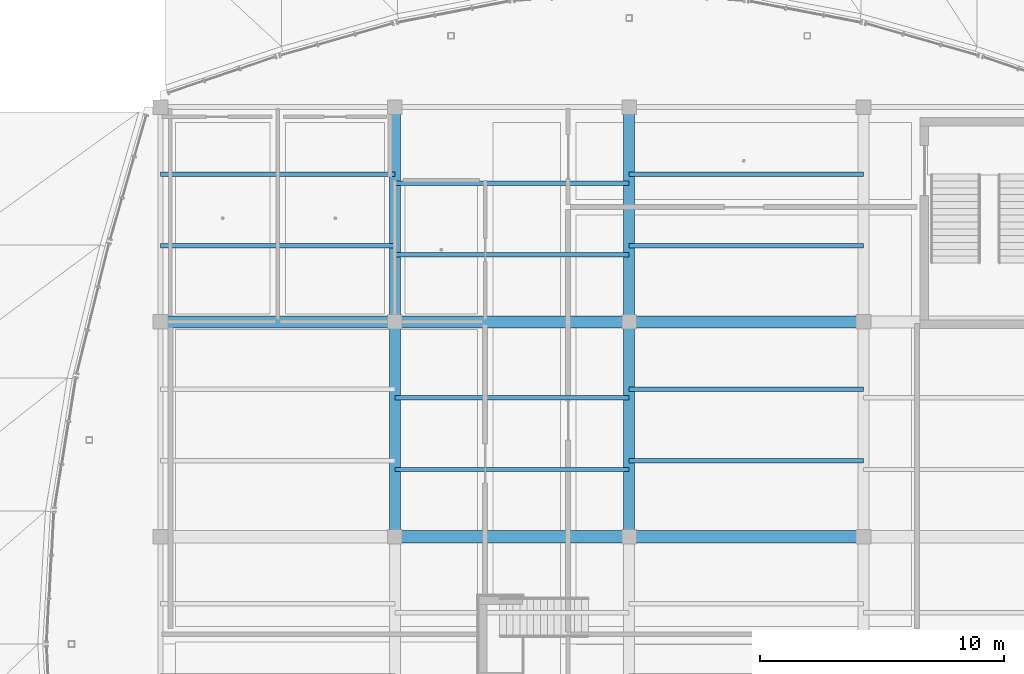
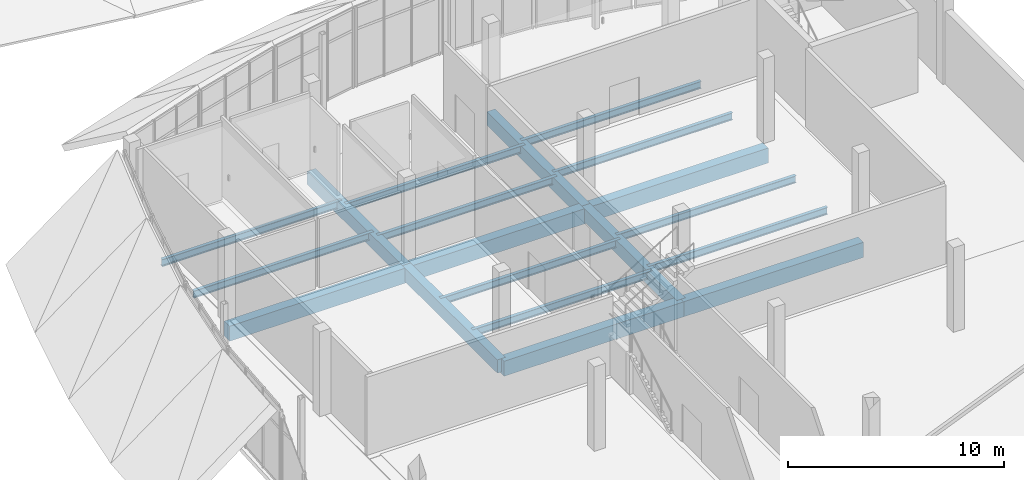
# One storey, part 29 of 116: 19 beams.
"""IFC4 building model written with IfcOpenShell, lengths in metres."""

import ifcopenshell
import ifcopenshell.guid

model = None  # the IFC model being written
_history = None  # IfcOwnerHistory: only IFC2X3 demands one
_inside = {}  # id of a spatial element -> (the spatial element, [elements in it])
_under = {}  # id of a project, library or spatial element -> (it, [spatial elements below it])
_declared = {}  # id of a project -> (the project, [libraries it declares])
_typed = {}  # id of a type object -> (the type object, [elements of that type])
_made_of = {}  # id of a material, layer set ... -> (it, [elements and type objects made of it])


def new_model(schema):
    """Start an empty IFC model of exactly this schema.

    Asked for "IFC4X3", IfcOpenShell would pick the latest addendum, in which some entities
    have other attributes; the version numbers below select the first issue.
    IFC2X3 requires an IfcOwnerHistory on every rooted entity: one is made here for all.
    """
    global model, _history
    if schema == "IFC4X3":
        model = ifcopenshell.file(schema_version=(4, 3, 0, 0))
    else:
        model = ifcopenshell.file(schema=schema)
    _inside.clear()
    _under.clear()
    _declared.clear()
    _typed.clear()
    _made_of.clear()
    _history = None
    if model.schema == "IFC2X3":
        org = make("IfcOrganization", Name="unknown")
        user = make(
            "IfcPersonAndOrganization",
            ThePerson=make("IfcPerson", FamilyName="unknown"),
            TheOrganization=org,
        )
        app = make(
            "IfcApplication",
            ApplicationDeveloper=org,
            Version="unknown",
            ApplicationFullName="unknown",
            ApplicationIdentifier="unknown",
        )
        _history = make(
            "IfcOwnerHistory",
            OwningUser=user,
            OwningApplication=app,
            ChangeAction="ADDED",
            CreationDate=0,
        )
    return model


def make(cls, **values):
    """One entity of the class cls with the attributes given. An attribute that is None is left unset."""
    return model.create_entity(
        cls, **{name: value for name, value in values.items() if value is not None}
    )


def rooted(cls, **values):
    """An entity with a GlobalId (a new one), such as an element, a storey or a relation."""
    return make(cls, GlobalId=ifcopenshell.guid.new(), OwnerHistory=_history, **values)


def si_unit(unit_type, name, prefix=None):
    """IfcSIUnit, for example si_unit("LENGTHUNIT", "METRE", prefix="MILLI")."""
    return make("IfcSIUnit", UnitType=unit_type, Prefix=prefix, Name=name)


def assignment(units):
    """IfcUnitAssignment: the units of a project."""
    return None if units is None else make("IfcUnitAssignment", Units=units)


def point(xyz):
    """IfcCartesianPoint."""
    return None if xyz is None else make("IfcCartesianPoint", Coordinates=xyz)


def direction(xyz):
    """IfcDirection."""
    return None if xyz is None else make("IfcDirection", DirectionRatios=xyz)


def frame(location, z_axis=None, x_axis=None):
    """IfcAxis2Placement3D, a coordinate frame: its origin and axes. An axis left out is left unset."""
    return make(
        "IfcAxis2Placement3D",
        Location=point(location),
        Axis=direction(z_axis),
        RefDirection=direction(x_axis),
    )


def frame_2d(location, x_axis=None):
    """IfcAxis2Placement2D, a coordinate frame in the plane: its origin and x axis."""
    return make(
        "IfcAxis2Placement2D", Location=point(location), RefDirection=direction(x_axis)
    )


def origin():
    """The frame at (0, 0, 0) with its axes left unset."""
    return frame((0.0, 0.0, 0.0))


def origin_2d():
    """The frame at (0, 0) in the plane with its x axis left unset."""
    return frame_2d((0.0, 0.0))


def place(relative_to, where):
    """IfcLocalPlacement: puts the frame where relative to a parent placement (None: the world)."""
    return make(
        "IfcLocalPlacement", PlacementRelTo=relative_to, RelativePlacement=where
    )


def context(
    kind, dimensions, precision=None, world=None, true_north=None, identifier=None
):
    """IfcGeometricRepresentationContext, for example the 3D "Model" context."""
    return make(
        "IfcGeometricRepresentationContext",
        ContextIdentifier=identifier,
        ContextType=kind,
        CoordinateSpaceDimension=dimensions,
        Precision=precision,
        WorldCoordinateSystem=world,
        TrueNorth=true_north,
    )


def subcontext(parent, identifier, kind, view, scale=None):
    """IfcGeometricRepresentationSubContext, for example "Body" below "Model"."""
    return make(
        "IfcGeometricRepresentationSubContext",
        ContextIdentifier=identifier,
        ContextType=kind,
        ParentContext=parent,
        TargetScale=scale,
        TargetView=view,
    )


def project(units=None, contexts=None):
    """IfcProject with its units and contexts."""
    return rooted(
        "IfcProject",
        Name="project",
        RepresentationContexts=contexts,
        UnitsInContext=assignment(units),
    )


def spatial(cls, under=None, at=None, **own):
    """A site, building, storey or space (cls), placed at a placement, below another one or the project."""
    s = rooted(cls, ObjectPlacement=at, **own)
    if under is not None:
        _under.setdefault(under.id(), (under, []))[1].append(s)
    return s


def profile(cls, at=None, kind="AREA", **sizes):
    """A parametric profile (cls). Its sizes go by their IFC names, for example OverallWidth=200.0."""
    return make(cls, ProfileType=kind, Position=at, **sizes)


def rectangle(**sizes):
    """IfcRectangleProfileDef."""
    return profile("IfcRectangleProfileDef", **sizes)


def i_section(**sizes):
    """IfcIShapeProfileDef."""
    return profile("IfcIShapeProfileDef", **sizes)


def extrude(swept, where, along, depth):
    """IfcExtrudedAreaSolid: the profile swept, set in the frame where, extruded along a direction by depth."""
    return make(
        "IfcExtrudedAreaSolid",
        SweptArea=swept,
        Position=where,
        ExtrudedDirection=direction(along),
        Depth=depth,
    )


def shape(context_of_items, identifier, shape_type, items):
    """IfcShapeRepresentation: the items that make up one representation, for example the "Body"."""
    return make(
        "IfcShapeRepresentation",
        ContextOfItems=context_of_items,
        RepresentationIdentifier=identifier,
        RepresentationType=shape_type,
        Items=items,
    )


def material(Name=None, Category=None):
    """IfcMaterial."""
    return make("IfcMaterial", Name=Name, Category=Category)


def material_profile(
    of_material, cross_section, Name=None, Category=None, Priority=None
):
    """IfcMaterialProfile: a cross section and its material."""
    return make(
        "IfcMaterialProfile",
        Name=Name,
        Material=of_material,
        Profile=cross_section,
        Priority=Priority,
        Category=Category,
    )


def profile_set(profiles, Name=None, composite=None):
    """IfcMaterialProfileSet."""
    return make(
        "IfcMaterialProfileSet",
        Name=Name,
        MaterialProfiles=profiles,
        CompositeProfile=composite,
    )


def made_of(thing, what):
    """Note that an element or type object is made of a material, layer set ...; save() writes the relation."""
    if what is not None:
        _made_of.setdefault(what.id(), (what, []))[1].append(thing)
    return thing


def type_object(cls, material=None, **own):
    """A type object (cls), such as IfcWallType, which elements share."""
    return made_of(rooted(cls, **own), material)


def element(
    cls,
    number,
    at=None,
    inside=None,
    cuts=None,
    type_object=None,
    material=None,
    context=None,
    identifier="Body",
    shape_type=None,
    held_by="IfcProductDefinitionShape",
    body=None,
    shapes=None,
    **own,
):
    """One element of the class cls, such as IfcWall. Its Tag is "e" and its number.

    at: its placement. inside: the storey or other place that contains it. cuts: it is an
    opening in that element (IfcRelVoidsElement). A single representation is given by context,
    identifier, shape_type and body (its items); several are given by shapes. held_by: the class
    of the entity that holds the representations. save() writes the other relations.
    """
    e = rooted(cls, Tag="e%d" % number, ObjectPlacement=at, **own)
    if body is not None:
        shapes = [shape(context, identifier, shape_type, body)]
    if shapes is not None:
        e.Representation = make(held_by, Representations=shapes)
    if inside is not None:
        _inside.setdefault(inside.id(), (inside, []))[1].append(e)
    if cuts is not None:
        rooted(
            "IfcRelVoidsElement", RelatingBuildingElement=cuts, RelatedOpeningElement=e
        )
    if type_object is not None:
        _typed.setdefault(type_object.id(), (type_object, []))[1].append(e)
    return made_of(e, material)


def aggregate(whole, parts):
    """IfcRelAggregates: a whole, such as a stair, and the parts it consists of."""
    return rooted("IfcRelAggregates", RelatingObject=whole, RelatedObjects=parts)


def save(model, path):
    """Write the relations noted so far, then the file.

    IfcRelAggregates (storeys below a building ...), IfcRelContainedInSpatialStructure (elements
    in a storey), IfcRelDefinesByType, IfcRelAssociatesMaterial and IfcRelDeclares: one each for
    every whole, place, type object, material and project.
    """
    for whole, parts in _under.values():
        aggregate(whole, parts)
    for where, things in _inside.values():
        rooted(
            "IfcRelContainedInSpatialStructure",
            RelatedElements=things,
            RelatingStructure=where,
        )
    for kind, things in _typed.values():
        rooted("IfcRelDefinesByType", RelatedObjects=things, RelatingType=kind)
    for what, things in _made_of.values():
        rooted("IfcRelAssociatesMaterial", RelatedObjects=things, RelatingMaterial=what)
    for by, libraries in _declared.values():
        rooted("IfcRelDeclares", RelatingContext=by, RelatedDefinitions=libraries)
    model.write(path)


model = new_model("IFC4")

# Units and contexts
model_context = context("Model", 3, precision=1e-05, world=origin(), true_north=direction((0.0, 1.0)))
body_context = subcontext(model_context, "Body", "Model", "MODEL_VIEW")
ifc_project = project(units=[si_unit("LENGTHUNIT", "METRE"), si_unit("AREAUNIT", "SQUARE_METRE"), si_unit("VOLUMEUNIT", "CUBIC_METRE"), si_unit("PLANEANGLEUNIT", "RADIAN"), si_unit("MASSUNIT", "GRAM", prefix="KILO")], contexts=[model_context])

# Site, building, storey
site_placement = place(None, origin())
site = spatial("IfcSite", under=ifc_project, at=site_placement, CompositionType="ELEMENT")
building_placement = place(site_placement, origin())
building = spatial("IfcBuilding", under=site, at=building_placement, Name="Chalmorin Arch Market", CompositionType="ELEMENT")
storey_placement = place(building_placement, origin())
storey = spatial("IfcBuildingStorey", under=building, at=storey_placement, Name="L00", CompositionType="ELEMENT", Elevation=0.0)

# Beams
ifc_material_1 = material(Name="Concrete C40/50", Category="concrete")
ifc_material_profile_1 = material_profile(ifc_material_1, rectangle(XDim=0.449951171875, YDim=0.75, at=origin_2d()), Name="RC450X750")
ifc_profile_set_1 = profile_set([ifc_material_profile_1], Name="Concrete C40/50")
beam_type_1 = type_object("IfcBeamType", Name="BasementConcreteGirder-450x750", PredefinedType="BEAM", material=ifc_profile_set_1)
for number, where, z_axis, x_axis, name in (
    (1, (9.60009765625, 32.39990234375, -0.72705078125), (0.0, 1.0, 0.0), (-1.0, 0.0, 0.0), "BG-RC2-0213"),
    (2, (9.60009765625, 41.199951171875, -0.72705078125), (0.0, 1.0, 0.0), (-1.0, 0.0, 0.0), "BG-RC2-0216"),
    (3, (19.199951171875, 32.39990234375, -0.72705078125), (0.0, 1.0, 0.0), (-1.0, 0.0, 0.0), "BG-RC2-0225"),
    (4, (19.199951171875, 41.199951171875, -0.72705078125), (0.0, 1.0, 0.0), (-1.0, 0.0, 0.0), "BG-RC2-0227"),
):
    element("IfcBeam", number, at=place(storey_placement, frame(where, z_axis=z_axis, x_axis=x_axis)), inside=storey, type_object=beam_type_1, Name=name, PredefinedType="BEAM", context=body_context, shape_type="SweptSolid", body=[
        extrude(rectangle(XDim=0.449951171875, YDim=0.75, at=origin_2d()), origin(), (0.0, 0.0, 1.0), 8.800048828125),
    ])
ifc_material_profile_2 = material_profile(ifc_material_1, rectangle(XDim=0.5, YDim=0.85009765625, at=origin_2d()), Name="RC500X850")
ifc_profile_set_2 = profile_set([ifc_material_profile_2], Name="Concrete C40/50")
beam_type_2 = type_object("IfcBeamType", Name="PlinthConcreteGirder-500x850", PredefinedType="BEAM", material=ifc_profile_set_2)
beam_placement = place(storey_placement, frame((0.0, 41.199951171875, -0.777099609375), z_axis=(1.0, 0.0, 0.0), x_axis=(0.0, 1.0, 0.0)))
element("IfcBeam", 5, at=beam_placement, inside=storey, type_object=beam_type_2, Name="BG-RC1-0211", PredefinedType="BEAM", context=body_context, shape_type="SweptSolid", body=[
    extrude(rectangle(XDim=0.5, YDim=0.85009765625, at=origin_2d()), origin(), (0.0, 0.0, 1.0), 9.60009765625),
])
for number, where, z_axis, x_axis, name in (
    (6, (9.60009765625, 32.39990234375, -0.777099609375), (1.0, 0.0, 0.0), (0.0, 1.0, 0.0), "BG-RC1-0222"),
    (7, (9.60009765625, 41.199951171875, -0.777099609375), (1.0, 0.0, 0.0), (0.0, 1.0, 0.0), "BG-RC1-0224"),
):
    element("IfcBeam", number, at=place(storey_placement, frame(where, z_axis=z_axis, x_axis=x_axis)), inside=storey, type_object=beam_type_2, Name=name, PredefinedType="BEAM", context=body_context, shape_type="SweptSolid", body=[
        extrude(rectangle(XDim=0.5, YDim=0.85009765625, at=origin_2d()), origin(), (0.0, 0.0, 1.0), 9.599853515625),
    ])
for number, where, z_axis, x_axis, name in (
    (8, (19.199951171875, 32.39990234375, -0.777099609375), (1.0, 0.0, 0.0), (0.0, 1.0, 0.0), "BG-RC1-0233"),
    (9, (19.199951171875, 41.199951171875, -0.777099609375), (1.0, 0.0, 0.0), (0.0, 1.0, 0.0), "BG-RC1-0235"),
):
    element("IfcBeam", number, at=place(storey_placement, frame(where, z_axis=z_axis, x_axis=x_axis)), inside=storey, type_object=beam_type_2, Name=name, PredefinedType="BEAM", context=body_context, shape_type="SweptSolid", body=[
        extrude(rectangle(XDim=0.5, YDim=0.85009765625, at=origin_2d()), origin(), (0.0, 0.0, 1.0), 9.60009765625),
    ])
ifc_material_2 = material(Name="Steel A992 Grade 50", Category="steel")
ifc_material_profile_3 = material_profile(ifc_material_2, i_section(OverallWidth=0.177978515625, OverallDepth=0.403076171875, WebThickness=0.007568359375, FlangeThickness=0.010986328125, FilletRadius=0.01806640625, at=origin_2d()), Name="W16X36")
ifc_profile_set_3 = profile_set([ifc_material_profile_3], Name="Steel A992 Grade 50")
beam_type_3 = type_object("IfcBeamType", Name="SecondaryFloorJoist-W16X36", PredefinedType="JOIST", material=ifc_profile_set_3)
for number, where, z_axis, x_axis, name in (
    (10, (0.0, 44.313232421875, -0.553466796875), (1.0, 0.0, 0.0), (0.0, 1.0, 0.0), "BJ-W16B-0256"),
    (11, (0.0, 47.24658203125, -0.553466796875), (1.0, 0.0, 0.0), (0.0, 1.0, 0.0), "BJ-W16B-0257"),
):
    element("IfcBeam", number, at=place(storey_placement, frame(where, z_axis=z_axis, x_axis=x_axis)), inside=storey, type_object=beam_type_3, Name=name, PredefinedType="JOIST", context=body_context, shape_type="SweptSolid", body=[
        extrude(i_section(OverallWidth=0.177978515625, OverallDepth=0.403076171875, WebThickness=0.007568359375, FlangeThickness=0.010986328125, FilletRadius=0.01806640625, at=origin_2d()), origin(), (0.0, 0.0, 1.0), 9.60009765625),
    ])
for number, where, z_axis, x_axis, name in (
    (12, (9.60009765625, 35.1533203125, -0.553466796875), (1.0, 0.0, 0.0), (0.0, 1.0, 0.0), "BJ-W16B-0264"),
    (13, (9.60009765625, 38.086669921875, -0.553466796875), (1.0, 0.0, 0.0), (0.0, 1.0, 0.0), "BJ-W16B-0265"),
    (14, (9.60009765625, 43.953369140625, -0.553466796875), (1.0, 0.0, 0.0), (0.0, 1.0, 0.0), "BJ-W16B-0266"),
    (15, (9.60009765625, 46.88671875, -0.553466796875), (1.0, 0.0, 0.0), (0.0, 1.0, 0.0), "BJ-W16B-0267"),
):
    element("IfcBeam", number, at=place(storey_placement, frame(where, z_axis=z_axis, x_axis=x_axis)), inside=storey, type_object=beam_type_3, Name=name, PredefinedType="JOIST", context=body_context, shape_type="SweptSolid", body=[
        extrude(i_section(OverallWidth=0.177978515625, OverallDepth=0.403076171875, WebThickness=0.007568359375, FlangeThickness=0.010986328125, FilletRadius=0.01806640625, at=origin_2d()), origin(), (0.0, 0.0, 1.0), 9.599853515625),
    ])
for number, where, z_axis, x_axis, name in (
    (16, (19.199951171875, 35.51318359375, -0.553466796875), (1.0, 0.0, 0.0), (0.0, 1.0, 0.0), "BJ-W16B-0274"),
    (17, (19.199951171875, 38.44677734375, -0.553466796875), (1.0, 0.0, 0.0), (0.0, 1.0, 0.0), "BJ-W16B-0275"),
    (18, (19.199951171875, 44.313232421875, -0.553466796875), (1.0, 0.0, 0.0), (0.0, 1.0, 0.0), "BJ-W16B-0276"),
    (19, (19.199951171875, 47.24658203125, -0.553466796875), (1.0, 0.0, 0.0), (0.0, 1.0, 0.0), "BJ-W16B-0277"),
):
    element("IfcBeam", number, at=place(storey_placement, frame(where, z_axis=z_axis, x_axis=x_axis)), inside=storey, type_object=beam_type_3, Name=name, PredefinedType="JOIST", context=body_context, shape_type="SweptSolid", body=[
        extrude(i_section(OverallWidth=0.177978515625, OverallDepth=0.403076171875, WebThickness=0.007568359375, FlangeThickness=0.010986328125, FilletRadius=0.01806640625, at=origin_2d()), origin(), (0.0, 0.0, 1.0), 9.60009765625),
    ])

save(model, "model.ifc")
